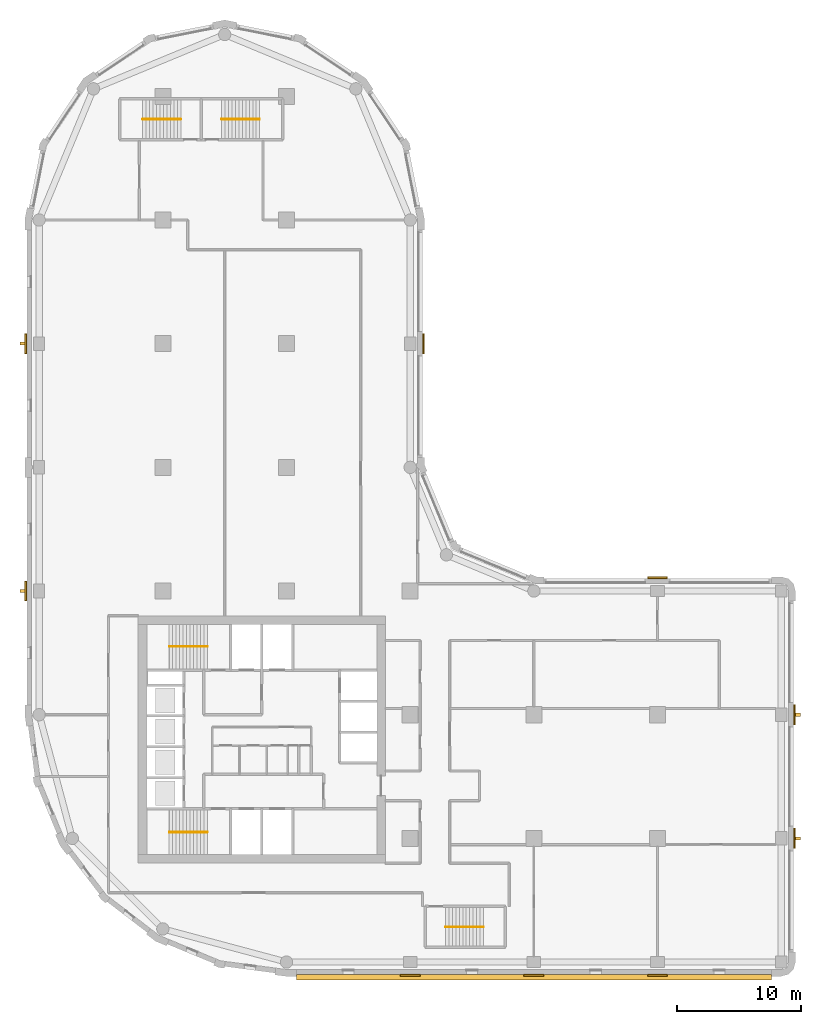
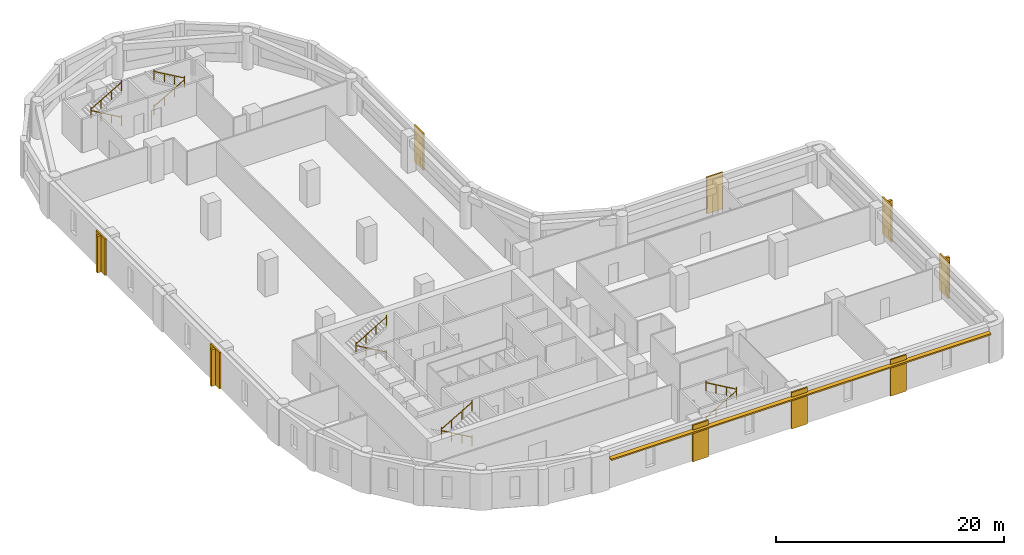
# One storey, part 8 of 9: 10 railings, 9 coverings, 5 shading devices.
"""IFC4 building model written with IfcOpenShell, lengths in metres."""

from ifc_helpers import new_model, si_unit, direction, frame, origin, origin_2d, place, context, subcontext, project, spatial, polyline, rectangle, circle, outline, extrude, material, layer, layer_set, type_object, element, save


model = new_model("IFC4")

# Units and contexts
model_context = context("Model", 3, precision=1e-05, world=origin(), true_north=direction((0.0, 1.0)))
body_context = subcontext(model_context, "Body", "Model", "MODEL_VIEW")
ifc_project = project(units=[si_unit("LENGTHUNIT", "METRE"), si_unit("AREAUNIT", "SQUARE_METRE"), si_unit("VOLUMEUNIT", "CUBIC_METRE"), si_unit("PLANEANGLEUNIT", "RADIAN"), si_unit("MASSUNIT", "GRAM", prefix="KILO")], contexts=[model_context])

# Site, building, storey
site_placement = place(None, origin())
site = spatial("IfcSite", under=ifc_project, at=site_placement, CompositionType="ELEMENT")
building_placement = place(site_placement, origin())
building = spatial("IfcBuilding", under=site, at=building_placement, Name="Qaws Garden Tower", CompositionType="ELEMENT")
storey_placement = place(building_placement, frame((0.0, 0.0, 217.5)))
storey = spatial("IfcBuildingStorey", under=building, at=storey_placement, Name="L53", CompositionType="ELEMENT", Elevation=217.5)

# Coverings
ifc_material_1 = material(Name="Clay facing brick masonry", Category="masonry")
ifc_layer_1 = layer(ifc_material_1, 0.14990234375)
ifc_layer_set_1 = layer_set([ifc_layer_1], Name="Clay facing brick masonry")
covering_type = type_object("IfcCoveringType", Name="Brick pilaster facing 150 x 1600", PredefinedType="CLADDING", material=ifc_layer_set_1)
placement = place(storey_placement, origin())
element("IfcCovering", 1, at=placement, inside=storey, type_object=covering_type, Name="E-L53-pier-01", PredefinedType="CLADDING", context=body_context, shape_type="SweptSolid", body=[
    extrude(outline(polyline([(29.199951171875, -1.0), (30.800048828125, -1.0), (30.800048828125, -1.14990234375), (29.199951171875, -1.14990234375), (29.199951171875, -1.0)])), origin(), (0.0, 0.0, 1.0), 3.89990234375),
])
element("IfcCovering", 2, at=placement, inside=storey, type_object=covering_type, Name="E-L53-pier-02", PredefinedType="CLADDING", context=body_context, shape_type="SweptSolid", body=[
    extrude(outline(polyline([(39.199951171875, -1.0), (40.800048828125, -1.0), (40.800048828125, -1.14990234375), (39.199951171875, -1.14990234375), (39.199951171875, -1.0)])), origin(), (0.0, 0.0, 1.0), 3.89990234375),
])
element("IfcCovering", 3, at=placement, inside=storey, type_object=covering_type, Name="E-L53-pier-03", PredefinedType="CLADDING", context=body_context, shape_type="SweptSolid", body=[
    extrude(outline(polyline([(49.199951171875, -1.0), (50.800048828125, -1.0), (50.800048828125, -1.14990234375), (49.199951171875, -1.14990234375), (49.199951171875, -1.0)])), origin(), (0.0, 0.0, 1.0), 3.89990234375),
])
element("IfcCovering", 4, at=placement, inside=storey, type_object=covering_type, Name="E-L53-pier-05", PredefinedType="CLADDING", context=body_context, shape_type="SweptSolid", body=[
    extrude(outline(polyline([(61.0, 9.199951171875), (61.0, 10.800048828125), (61.14990234375, 10.800048828125), (61.14990234375, 9.199951171875), (61.0, 9.199951171875)])), origin(), (0.0, 0.0, 1.0), 3.89990234375),
])
element("IfcCovering", 5, at=placement, inside=storey, type_object=covering_type, Name="E-L53-pier-06", PredefinedType="CLADDING", context=body_context, shape_type="SweptSolid", body=[
    extrude(outline(polyline([(61.0, 19.199951171875), (61.0, 20.800048828125), (61.14990234375, 20.800048828125), (61.14990234375, 19.199951171875), (61.0, 19.199951171875)])), origin(), (0.0, 0.0, 1.0), 3.89990234375),
])
element("IfcCovering", 6, at=placement, inside=storey, type_object=covering_type, Name="E-L53-pier-08", PredefinedType="CLADDING", context=body_context, shape_type="SweptSolid", body=[
    extrude(outline(polyline([(50.800048828125, 31.0), (49.199951171875, 31.0), (49.199951171875, 31.14990234375), (50.800048828125, 31.14990234375), (50.800048828125, 31.0)])), origin(), (0.0, 0.0, 1.0), 3.89990234375),
])
element("IfcCovering", 7, at=placement, inside=storey, type_object=covering_type, Name="E-L53-pier-12", PredefinedType="CLADDING", context=body_context, shape_type="SweptSolid", body=[
    extrude(outline(polyline([(31.0, 49.199951171875), (31.0, 50.800048828125), (31.14990234375, 50.800048828125), (31.14990234375, 49.199951171875), (31.0, 49.199951171875)])), origin(), (0.0, 0.0, 1.0), 3.89990234375),
])
element("IfcCovering", 8, at=placement, inside=storey, type_object=covering_type, Name="E-L53-pier-22", PredefinedType="CLADDING", context=body_context, shape_type="SweptSolid", body=[
    extrude(outline(polyline([(-1.0, 50.800048828125), (-1.0, 49.199951171875), (-1.14990234375, 49.199951171875), (-1.14990234375, 50.800048828125), (-1.0, 50.800048828125)])), origin(), (0.0, 0.0, 1.0), 3.89990234375),
])
element("IfcCovering", 9, at=placement, inside=storey, type_object=covering_type, Name="E-L53-pier-24", PredefinedType="CLADDING", context=body_context, shape_type="SweptSolid", body=[
    extrude(outline(polyline([(-1.0, 30.800048828125), (-1.0, 29.199951171875), (-1.14990234375, 29.199951171875), (-1.14990234375, 30.800048828125), (-1.0, 30.800048828125)])), origin(), (0.0, 0.0, 1.0), 3.89990234375),
])

# Shading devices
ifc_material_2 = material(Name="Clay facing brick masonry", Category="masonry")
ifc_layer_2 = layer(ifc_material_2, 0.14990234375)
ifc_layer_set_2 = layer_set([ifc_layer_2], Name="Clay facing brick masonry")
shading_device_type_1 = type_object("IfcShadingDeviceType", Name="Brick sunshade band 450 x 150", PredefinedType="JALOUSIE", material=ifc_layer_set_2)
shading_device_placement = place(storey_placement, frame((0.0, 0.0, 3.25)))
element("IfcShadingDevice", 10, at=shading_device_placement, inside=storey, type_object=shading_device_type_1, Name="SUNSHADE 00", PredefinedType="JALOUSIE", context=body_context, shape_type="SweptSolid", body=[
    extrude(outline(polyline([(20.800048828125, -1.0), (20.800048828125, -1.449951171875), (59.199951171875, -1.449951171875), (59.199951171875, -1.0), (50.800048828125, -1.0), (50.800048828125, -1.14990234375), (49.199951171875, -1.14990234375), (49.199951171875, -1.0), (40.800048828125, -1.0), (40.800048828125, -1.14990234375), (39.199951171875, -1.14990234375), (39.199951171875, -1.0), (30.800048828125, -1.0), (30.800048828125, -1.14990234375), (29.199951171875, -1.14990234375), (29.199951171875, -1.0), (20.800048828125, -1.0)])), origin(), (0.0, 0.0, 1.0), 0.14990234375),
])
ifc_material_3 = material(Name="Clay facing brick masonry", Category="masonry")
ifc_layer_3 = layer(ifc_material_3, 0.25)
ifc_layer_set_3 = layer_set([ifc_layer_3], Name="Clay facing brick masonry")
shading_device_type_2 = type_object("IfcShadingDeviceType", Name="Brick-faced fin 250 x 400", PredefinedType="USERDEFINED", material=ifc_layer_set_3)
for number, where, z_axis, x_axis, name in (
    (11, (61.35009765625, 10.0, 0.0), (0.0, 0.0, 1.0), (0.0, 1.0, 0.0), "FIN 05"),
    (12, (61.35009765625, 20.0, 0.0), (0.0, 0.0, 1.0), (0.0, 1.0, 0.0), "FIN 06"),
    (13, (-1.35009765625, 50.0, 0.0), (0.0, 0.0, 1.0), (0.0, -1.0, 0.0), "FIN 22"),
    (14, (-1.35009765625, 30.0, 0.0), (0.0, 0.0, 1.0), (0.0, -1.0, 0.0), "FIN 24"),
):
    element("IfcShadingDevice", number, at=place(storey_placement, frame(where, z_axis=z_axis, x_axis=x_axis)), inside=storey, type_object=shading_device_type_2, Name=name, ObjectType="FIN", PredefinedType="USERDEFINED", context=body_context, shape_type="SweptSolid", body=[
        extrude(rectangle(XDim=0.25, YDim=0.39990234375, at=origin_2d()), origin(), (0.0, 0.0, 1.0), 3.89990234375),
    ])

# Railings
ifc_material_4 = material(Name="Steel S355", Category="steel")
railing_type = type_object("IfcRailingType", Name="Stair handrail 900", PredefinedType="HANDRAIL", material=ifc_material_4)
railing_1_placement = place(storey_placement, frame((13.60009765625, 10.5, 0.16259765625)))
element("IfcRailing", 15, at=railing_1_placement, inside=storey, type_object=railing_type, Name="Stair 1 handrail", PredefinedType="HANDRAIL", context=body_context, shape_type="SweptSolid", body=[
    extrude(circle(Radius=0.02392578125, at=origin_2d()), frame((0.0, 0.0, 0.8759765625), z_axis=(-0.864920483161, 0.0, 0.501908913857), x_axis=(0.0, -1.0, 0.0)), (0.0, 0.0, 1.0), 3.56103515625),
    extrude(circle(Radius=0.02099609375, at=origin_2d()), origin(), (0.0, 0.0, 1.0), 1.06201171875),
    extrude(circle(Radius=0.02099609375, at=origin_2d()), frame((-1.026611328125, 0.0, 0.595703125)), (0.0, 0.0, 1.0), 0.851806640625),
    extrude(circle(Radius=0.02099609375, at=origin_2d()), frame((-2.053466796875, 0.0, 1.191650390625)), (0.0, 0.0, 1.0), 0.851806640625),
    extrude(circle(Radius=0.02099609375, at=origin_2d()), frame((-3.080078125, 0.0, 1.787353515625)), (0.0, 0.0, 1.0), 1.06201171875),
])
railing_2_placement = place(storey_placement, frame((10.52001953125, 10.5, 2.112548828125)))
element("IfcRailing", 16, at=railing_2_placement, inside=storey, type_object=railing_type, Name="Stair 1 handrail", PredefinedType="HANDRAIL", context=body_context, shape_type="SweptSolid", body=[
    extrude(circle(Radius=0.02392578125, at=origin_2d()), frame((0.0, 0.0, 0.8759765625), z_axis=(0.864920483161, 0.0, 0.501908913857), x_axis=(0.0, 1.0, 0.0)), (0.0, 0.0, 1.0), 3.56103515625),
    extrude(circle(Radius=0.02099609375, at=origin_2d()), origin(), (0.0, 0.0, 1.0), 1.06201171875),
    extrude(circle(Radius=0.02099609375, at=origin_2d()), frame((1.026611328125, 0.0, 0.595703125)), (0.0, 0.0, 1.0), 0.851806640625),
    extrude(circle(Radius=0.02099609375, at=origin_2d()), frame((2.053466796875, 0.0, 1.191650390625)), (0.0, 0.0, 1.0), 0.851806640625),
    extrude(circle(Radius=0.02099609375, at=origin_2d()), frame((3.080078125, 0.0, 1.787353515625)), (0.0, 0.0, 1.0), 1.06201171875),
])
railing_3_placement = place(storey_placement, frame((13.60009765625, 25.5, 0.16259765625)))
element("IfcRailing", 17, at=railing_3_placement, inside=storey, type_object=railing_type, Name="Stair 4 handrail", PredefinedType="HANDRAIL", context=body_context, shape_type="SweptSolid", body=[
    extrude(circle(Radius=0.02392578125, at=origin_2d()), frame((0.0, 0.0, 0.8759765625), z_axis=(-0.864920483161, 0.0, 0.501908913857), x_axis=(0.0, -1.0, 0.0)), (0.0, 0.0, 1.0), 3.56103515625),
    extrude(circle(Radius=0.02099609375, at=origin_2d()), origin(), (0.0, 0.0, 1.0), 1.06201171875),
    extrude(circle(Radius=0.02099609375, at=origin_2d()), frame((-1.026611328125, 0.0, 0.595703125)), (0.0, 0.0, 1.0), 0.851806640625),
    extrude(circle(Radius=0.02099609375, at=origin_2d()), frame((-2.053466796875, 0.0, 1.191650390625)), (0.0, 0.0, 1.0), 0.851806640625),
    extrude(circle(Radius=0.02099609375, at=origin_2d()), frame((-3.080078125, 0.0, 1.787353515625)), (0.0, 0.0, 1.0), 1.06201171875),
])
railing_4_placement = place(storey_placement, frame((10.52001953125, 25.5, 2.112548828125)))
element("IfcRailing", 18, at=railing_4_placement, inside=storey, type_object=railing_type, Name="Stair 4 handrail", PredefinedType="HANDRAIL", context=body_context, shape_type="SweptSolid", body=[
    extrude(circle(Radius=0.02392578125, at=origin_2d()), frame((0.0, 0.0, 0.8759765625), z_axis=(0.864920483161, 0.0, 0.501908913857), x_axis=(0.0, 1.0, 0.0)), (0.0, 0.0, 1.0), 3.56103515625),
    extrude(circle(Radius=0.02099609375, at=origin_2d()), origin(), (0.0, 0.0, 1.0), 1.06201171875),
    extrude(circle(Radius=0.02099609375, at=origin_2d()), frame((1.026611328125, 0.0, 0.595703125)), (0.0, 0.0, 1.0), 0.851806640625),
    extrude(circle(Radius=0.02099609375, at=origin_2d()), frame((2.053466796875, 0.0, 1.191650390625)), (0.0, 0.0, 1.0), 0.851806640625),
    extrude(circle(Radius=0.02099609375, at=origin_2d()), frame((3.080078125, 0.0, 1.787353515625)), (0.0, 0.0, 1.0), 1.06201171875),
])
railing_5_placement = place(storey_placement, frame((32.85009765625, 2.85009765625, 0.16259765625)))
element("IfcRailing", 19, at=railing_5_placement, inside=storey, type_object=railing_type, Name="Stair 5 handrail", PredefinedType="HANDRAIL", context=body_context, shape_type="SweptSolid", body=[
    extrude(circle(Radius=0.02392578125, at=origin_2d()), frame((0.0, 0.0, 0.8759765625), z_axis=(0.864903211148, 0.0, 0.501938676878), x_axis=(0.0, 1.0, 0.0)), (0.0, 0.0, 1.0), 3.560791015625),
    extrude(circle(Radius=0.02099609375, at=origin_2d()), origin(), (0.0, 0.0, 1.0), 1.06201171875),
    extrude(circle(Radius=0.02099609375, at=origin_2d()), frame((1.026611328125, 0.0, 0.595703125)), (0.0, 0.0, 1.0), 0.851806640625),
    extrude(circle(Radius=0.02099609375, at=origin_2d()), frame((2.05322265625, 0.0, 1.191650390625)), (0.0, 0.0, 1.0), 0.851806640625),
    extrude(circle(Radius=0.02099609375, at=origin_2d()), frame((3.079833984375, 0.0, 1.787353515625)), (0.0, 0.0, 1.0), 1.06201171875),
])
for number, where, name in (
    (20, (35.929931640625, 2.85009765625, 2.112548828125), "Stair 5 handrail"),
    (21, (11.449951171875, 68.14990234375, 0.16259765625), "Stair 6 handrail"),
):
    element("IfcRailing", number, at=place(storey_placement, frame(where)), inside=storey, type_object=railing_type, Name=name, PredefinedType="HANDRAIL", context=body_context, shape_type="SweptSolid", body=[
        extrude(circle(Radius=0.02392578125, at=origin_2d()), frame((0.0, 0.0, 0.8759765625), z_axis=(-0.864903211148, 0.0, 0.501938676878), x_axis=(0.0, -1.0, 0.0)), (0.0, 0.0, 1.0), 3.560791015625),
        extrude(circle(Radius=0.02099609375, at=origin_2d()), origin(), (0.0, 0.0, 1.0), 1.06201171875),
        extrude(circle(Radius=0.02099609375, at=origin_2d()), frame((-1.026611328125, 0.0, 0.595703125)), (0.0, 0.0, 1.0), 0.851806640625),
        extrude(circle(Radius=0.02099609375, at=origin_2d()), frame((-2.05322265625, 0.0, 1.191650390625)), (0.0, 0.0, 1.0), 0.851806640625),
        extrude(circle(Radius=0.02099609375, at=origin_2d()), frame((-3.079833984375, 0.0, 1.787353515625)), (0.0, 0.0, 1.0), 1.06201171875),
    ])
railing_6_placement = place(storey_placement, frame((8.3701171875, 68.14990234375, 2.112548828125)))
element("IfcRailing", 22, at=railing_6_placement, inside=storey, type_object=railing_type, Name="Stair 6 handrail", PredefinedType="HANDRAIL", context=body_context, shape_type="SweptSolid", body=[
    extrude(circle(Radius=0.02392578125, at=origin_2d()), frame((0.0, 0.0, 0.8759765625), z_axis=(0.864903211148, 0.0, 0.501938676878), x_axis=(0.0, 1.0, 0.0)), (0.0, 0.0, 1.0), 3.560791015625),
    extrude(circle(Radius=0.02099609375, at=origin_2d()), origin(), (0.0, 0.0, 1.0), 1.06201171875),
    extrude(circle(Radius=0.02099609375, at=origin_2d()), frame((1.026611328125, 0.0, 0.595703125)), (0.0, 0.0, 1.0), 0.851806640625),
    extrude(circle(Radius=0.02099609375, at=origin_2d()), frame((2.05322265625, 0.0, 1.191650390625)), (0.0, 0.0, 1.0), 0.851806640625),
    extrude(circle(Radius=0.02099609375, at=origin_2d()), frame((3.079833984375, 0.0, 1.787353515625)), (0.0, 0.0, 1.0), 1.06201171875),
])
railing_7_placement = place(storey_placement, frame((14.75, 68.14990234375, 0.16259765625)))
element("IfcRailing", 23, at=railing_7_placement, inside=storey, type_object=railing_type, Name="Stair 7 handrail", PredefinedType="HANDRAIL", context=body_context, shape_type="SweptSolid", body=[
    extrude(circle(Radius=0.02392578125, at=origin_2d()), frame((0.0, 0.0, 0.8759765625), z_axis=(0.864920483161, 0.0, 0.501908913857), x_axis=(0.0, 1.0, 0.0)), (0.0, 0.0, 1.0), 3.56103515625),
    extrude(circle(Radius=0.02099609375, at=origin_2d()), origin(), (0.0, 0.0, 1.0), 1.06201171875),
    extrude(circle(Radius=0.02099609375, at=origin_2d()), frame((1.026611328125, 0.0, 0.595703125)), (0.0, 0.0, 1.0), 0.851806640625),
    extrude(circle(Radius=0.02099609375, at=origin_2d()), frame((2.053466796875, 0.0, 1.191650390625)), (0.0, 0.0, 1.0), 0.851806640625),
    extrude(circle(Radius=0.02099609375, at=origin_2d()), frame((3.080078125, 0.0, 1.787353515625)), (0.0, 0.0, 1.0), 1.06201171875),
])
railing_8_placement = place(storey_placement, frame((17.830078125, 68.14990234375, 2.112548828125)))
element("IfcRailing", 24, at=railing_8_placement, inside=storey, type_object=railing_type, Name="Stair 7 handrail", PredefinedType="HANDRAIL", context=body_context, shape_type="SweptSolid", body=[
    extrude(circle(Radius=0.02392578125, at=origin_2d()), frame((0.0, 0.0, 0.8759765625), z_axis=(-0.864920483161, 0.0, 0.501908913857), x_axis=(0.0, -1.0, 0.0)), (0.0, 0.0, 1.0), 3.56103515625),
    extrude(circle(Radius=0.02099609375, at=origin_2d()), origin(), (0.0, 0.0, 1.0), 1.06201171875),
    extrude(circle(Radius=0.02099609375, at=origin_2d()), frame((-1.026611328125, 0.0, 0.595703125)), (0.0, 0.0, 1.0), 0.851806640625),
    extrude(circle(Radius=0.02099609375, at=origin_2d()), frame((-2.053466796875, 0.0, 1.191650390625)), (0.0, 0.0, 1.0), 0.851806640625),
    extrude(circle(Radius=0.02099609375, at=origin_2d()), frame((-3.080078125, 0.0, 1.787353515625)), (0.0, 0.0, 1.0), 1.06201171875),
])

save(model, "model.ifc")
